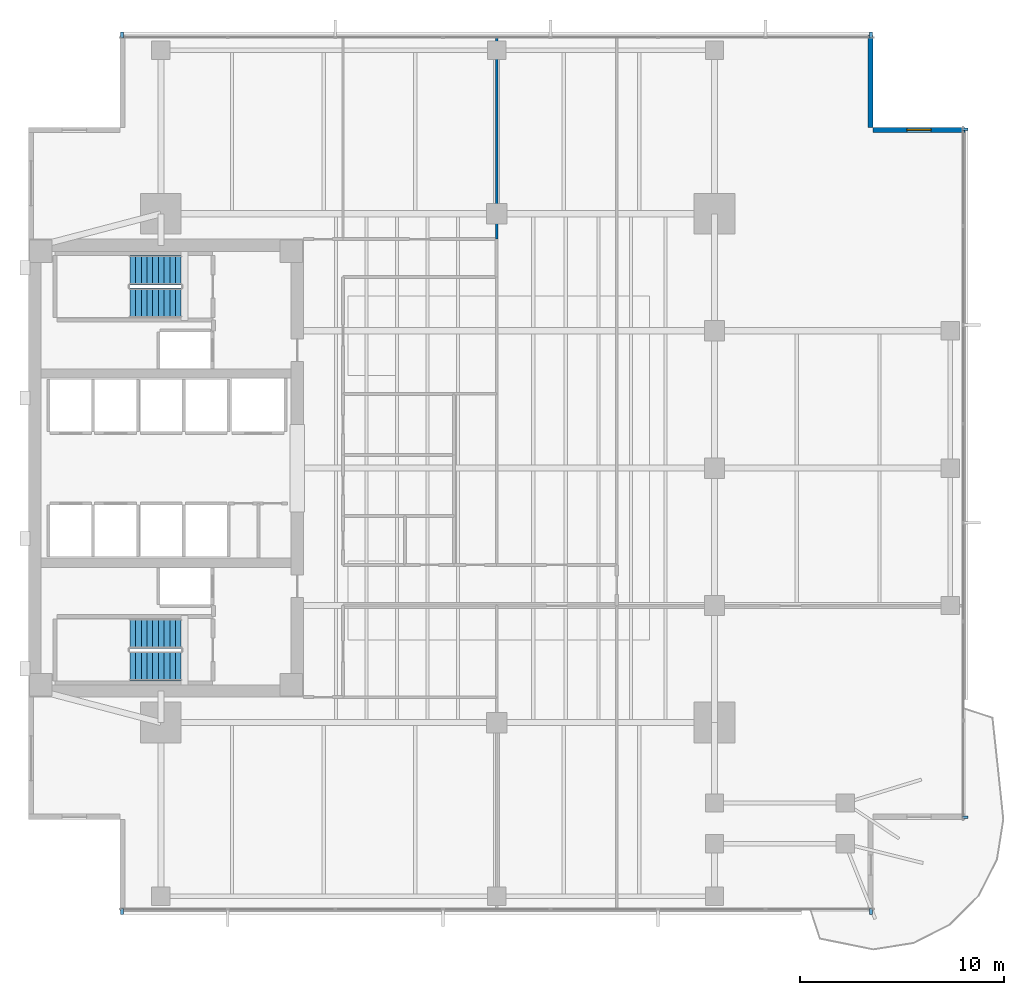
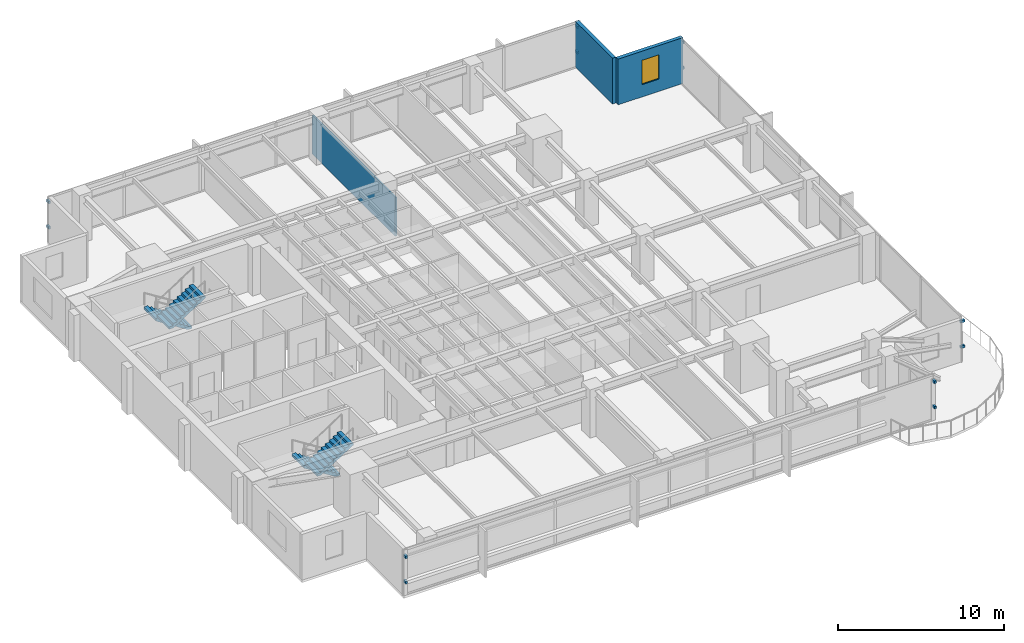
# One storey, part 10 of 14: 12 discrete accessories, 4 stair flights, 3 walls, 1 window, 1 opening, 2 elements without a shape of their own.
"""IFC4 building model written with IfcOpenShell, lengths in metres."""

from ifc_helpers import new_model, si_unit, direction, frame, frame_2d, origin, origin_2d, place, context, subcontext, project, spatial, polyline, rectangle, outline, extrude, material, layer, layer_set, type_object, element, fill, aggregate, save


model = new_model("IFC4")

# Units and contexts
model_context = context("Model", 3, precision=1e-05, world=origin(), true_north=direction((0.0, 1.0)))
body_context = subcontext(model_context, "Body", "Model", "MODEL_VIEW")
ifc_project = project(units=[si_unit("LENGTHUNIT", "METRE"), si_unit("AREAUNIT", "SQUARE_METRE"), si_unit("VOLUMEUNIT", "CUBIC_METRE"), si_unit("PLANEANGLEUNIT", "RADIAN"), si_unit("MASSUNIT", "GRAM", prefix="KILO")], contexts=[model_context])

# Site, building, storey
site_placement = place(None, origin())
site = spatial("IfcSite", under=ifc_project, at=site_placement, CompositionType="ELEMENT")
building_placement = place(site_placement, origin())
building = spatial("IfcBuilding", under=site, at=building_placement, Name="Kinhvarn Gate Tower", CompositionType="ELEMENT")
storey_placement = place(building_placement, frame((0.0, 0.0, 137.75)))
storey = spatial("IfcBuildingStorey", under=building, at=storey_placement, Name="L36", CompositionType="ELEMENT", Elevation=137.75)

# Wall, opening, window
ifc_material_1 = material(Name="Fired architectural terracotta", Category="masonry")
ifc_layer_1 = layer(ifc_material_1, 0.25)
ifc_layer_set_1 = layer_set([ifc_layer_1], Name="Fired architectural terracotta")
wall_type_1 = type_object("IfcWallType", Name="WL-EXT-250", PredefinedType="SOLIDWALL", material=ifc_layer_set_1)
wall_1_placement = place(storey_placement, frame((50.5, 41.875, 0.0), z_axis=(0.0, 0.0, 1.0), x_axis=(-1.0, 0.0, 0.0)))
wall_1 = element("IfcWall", 1, at=wall_1_placement, inside=storey, type_object=wall_type_1, Name="Exterior Solidwall Wall EW-250 (L36 NE-Notch-1)", PredefinedType="SOLIDWALL", context=body_context, shape_type="SweptSolid", body=[
    extrude(rectangle(XDim=4.5, YDim=0.25, at=frame_2d((2.25, 0.0))), origin(), (0.0, 0.0, 1.0), 3.3701171875),
])
opening_placement = place(wall_1_placement, frame((1.64990234375, 0.0, 0.89990234375)))
opening = element("IfcOpeningElement", 2, at=opening_placement, cuts=wall_1, Name="Opening WN-02", PredefinedType="OPENING", context=body_context, shape_type="SweptSolid", body=[
    extrude(rectangle(XDim=1.199951171875, YDim=1.800048828125, at=frame_2d((0.60009765625, 0.89990234375))), frame((0.0, 0.135009765625, 0.0), z_axis=(0.0, -1.0, 0.0), x_axis=(1.0, 0.0, 0.0)), (0.0, 0.0, 1.0), 0.27001953125),
])
ifc_material_2 = material(Name="Clear low-e double glazing", Category="glass")
window_type = type_object("IfcWindowType", Name="WIN-NTC-1200", PartitioningType="SINGLE_PANEL", PredefinedType="WINDOW", material=ifc_material_2)
window_placement = place(opening_placement, origin())
window = element("IfcWindow", 3, at=window_placement, inside=storey, type_object=window_type, Name="Recessed Corner Notch Punched Window 1200x1800 mm (L36)", OverallHeight=1.800048828125, OverallWidth=1.199951171875, PartitioningType="SINGLE_PANEL", PredefinedType="WINDOW", context=body_context, shape_type="SweptSolid", body=[
    extrude(rectangle(XDim=1.199951171875, YDim=1.800048828125, at=frame_2d((0.60009765625, 0.89990234375))), frame((0.0, 0.030029296875, 0.0), z_axis=(0.0, -1.0, 0.0), x_axis=(1.0, 0.0, 0.0)), (0.0, 0.0, 1.0), 0.06005859375),
])
fill(opening, window)

# Walls
wall_2_placement = place(storey_placement, frame((45.875, 42.0, 0.0), z_axis=(0.0, 0.0, 1.0), x_axis=(0.0, 1.0, 0.0)))
element("IfcWall", 4, at=wall_2_placement, inside=storey, type_object=wall_type_1, Name="Exterior Solidwall Wall EW-250 (L36 NE-Notch-2)", PredefinedType="SOLIDWALL", context=body_context, shape_type="SweptSolid", body=[
    extrude(rectangle(XDim=4.5, YDim=0.25, at=frame_2d((2.25, 0.0))), origin(), (0.0, 0.0, 1.0), 3.3701171875),
])
ifc_material_3 = material(Name="Gypsum acoustic partition board")
ifc_layer_2 = layer(ifc_material_3, 0.1201171875)
ifc_layer_set_2 = layer_set([ifc_layer_2], Name="Gypsum acoustic partition board")
wall_type_2 = type_object("IfcWallType", Name="WL-PRT-120", PredefinedType="PARTITIONING", material=ifc_layer_set_2)
wall_3_placement = place(storey_placement, frame((27.5, 36.5, 0.0), z_axis=(0.0, 0.0, 1.0), x_axis=(0.0, 1.0, 0.0)))
element("IfcWall", 5, at=wall_3_placement, inside=storey, type_object=wall_type_2, Name="Interior Partition PW-120 (L36)", PredefinedType="PARTITIONING", context=body_context, shape_type="SweptSolid", body=[
    extrude(rectangle(XDim=9.989990234375, YDim=0.1201171875, at=frame_2d((4.9951171875, 0.0))), origin(), (0.0, 0.0, 1.0), 2.8701171875),
])

# Stair, stair flights
ifc_material_4 = material(Name="Concrete C40/50", Category="concrete")
stair_type = type_object("IfcStairType", Name="STR-DLG-178", PredefinedType="HALF_TURN_STAIR", material=ifc_material_4)
stair_1_placement = place(storey_placement, origin())
stair_1 = element("IfcStair", 6, at=stair_1_placement, inside=storey, type_object=stair_type, Name="L36 Core Smokeproof Exit Stair ST1", PredefinedType="HALF_TURN_STAIR")
stair_flight_type = type_object("IfcStairFlightType", Name="STF-DLG-178", PredefinedType="STRAIGHT", material=ifc_material_4)
stair_flight_1_placement = place(storey_placement, frame((12.0, 17.125, 0.0), z_axis=(0.0, 0.0, 1.0), x_axis=(-1.0, 0.0, 0.0)))
stair_flight_1 = element("IfcStairFlight", 7, at=stair_flight_1_placement, type_object=stair_flight_type, Name="ST1 flight 1", NumberOfRisers=10, NumberOfTreads=9, PredefinedType="STRAIGHT", RiserHeight=0.1775, TreadLength=0.28, context=body_context, shape_type="SweptSolid", body=[
    extrude(outline(polyline([(0.0, 0.0), (0.0, 0.177490234375), (0.280029296875, 0.177490234375), (0.280029296875, 0.35498046875), (0.56005859375, 0.35498046875), (0.56005859375, 0.532470703125), (0.840087890625, 0.532470703125), (0.840087890625, 0.7099609375), (1.1201171875, 0.7099609375), (1.1201171875, 0.887451171875), (1.39990234375, 0.887451171875), (1.39990234375, 1.06494140625), (1.679931640625, 1.06494140625), (1.679931640625, 1.242431640625), (1.9599609375, 1.242431640625), (1.9599609375, 1.419921875), (2.239990234375, 1.419921875), (2.239990234375, 1.597412109375), (2.52001953125, 1.597412109375), (2.52001953125, 1.77490234375), (2.52001953125, 1.419921875), (0.280029296875, 0.0), (0.0, 0.0)])), frame((0.0, 0.72509765625, 0.0), z_axis=(0.0, -1.0, 0.0), x_axis=(1.0, 0.0, 0.0)), (0.0, 0.0, 1.0), 1.449951171875),
])
stair_flight_2_placement = place(storey_placement, frame((9.47998046875, 15.52490234375, 1.77490234375), z_axis=(0.0, 0.0, 1.0), x_axis=(1.0, 0.0, 0.0)))
stair_flight_2 = element("IfcStairFlight", 8, at=stair_flight_2_placement, type_object=stair_flight_type, Name="ST1 flight 2", NumberOfRisers=10, NumberOfTreads=9, PredefinedType="STRAIGHT", RiserHeight=0.1775, TreadLength=0.28, context=body_context, shape_type="SweptSolid", body=[
    extrude(outline(polyline([(0.0, 0.0), (0.0, 0.177490234375), (0.280029296875, 0.177490234375), (0.280029296875, 0.35498046875), (0.56005859375, 0.35498046875), (0.56005859375, 0.532470703125), (0.840087890625, 0.532470703125), (0.840087890625, 0.7099609375), (1.1201171875, 0.7099609375), (1.1201171875, 0.887451171875), (1.39990234375, 0.887451171875), (1.39990234375, 1.06494140625), (1.679931640625, 1.06494140625), (1.679931640625, 1.242431640625), (1.9599609375, 1.242431640625), (1.9599609375, 1.419921875), (2.239990234375, 1.419921875), (2.239990234375, 1.597412109375), (2.52001953125, 1.597412109375), (2.52001953125, 1.77490234375), (2.52001953125, 1.419921875), (0.280029296875, 0.0), (0.0, 0.0)])), frame((0.0, 0.72509765625, 0.0), z_axis=(0.0, -1.0, 0.0), x_axis=(1.0, 0.0, 0.0)), (0.0, 0.0, 1.0), 1.449951171875),
])
aggregate(stair_1, [stair_flight_1, stair_flight_2])

stair_2_placement = place(storey_placement, origin())
stair_2 = element("IfcStair", 9, at=stair_2_placement, inside=storey, type_object=stair_type, Name="L36 Core Smokeproof Exit Stair ST2", PredefinedType="HALF_TURN_STAIR")
stair_flight_3_placement = place(storey_placement, frame((12.0, 34.97509765625, 0.0), z_axis=(0.0, 0.0, 1.0), x_axis=(-1.0, 0.0, 0.0)))
stair_flight_3 = element("IfcStairFlight", 10, at=stair_flight_3_placement, type_object=stair_flight_type, Name="ST2 flight 1", NumberOfRisers=10, NumberOfTreads=9, PredefinedType="STRAIGHT", RiserHeight=0.1775, TreadLength=0.28, context=body_context, shape_type="SweptSolid", body=[
    extrude(outline(polyline([(0.0, 0.0), (0.0, 0.177490234375), (0.280029296875, 0.177490234375), (0.280029296875, 0.35498046875), (0.56005859375, 0.35498046875), (0.56005859375, 0.532470703125), (0.840087890625, 0.532470703125), (0.840087890625, 0.7099609375), (1.1201171875, 0.7099609375), (1.1201171875, 0.887451171875), (1.39990234375, 0.887451171875), (1.39990234375, 1.06494140625), (1.679931640625, 1.06494140625), (1.679931640625, 1.242431640625), (1.9599609375, 1.242431640625), (1.9599609375, 1.419921875), (2.239990234375, 1.419921875), (2.239990234375, 1.597412109375), (2.52001953125, 1.597412109375), (2.52001953125, 1.77490234375), (2.52001953125, 1.419921875), (0.280029296875, 0.0), (0.0, 0.0)])), frame((0.0, 0.72509765625, 0.0), z_axis=(0.0, -1.0, 0.0), x_axis=(1.0, 0.0, 0.0)), (0.0, 0.0, 1.0), 1.449951171875),
])
stair_flight_4_placement = place(storey_placement, frame((9.47998046875, 33.375, 1.77490234375), z_axis=(0.0, 0.0, 1.0), x_axis=(1.0, 0.0, 0.0)))
stair_flight_4 = element("IfcStairFlight", 11, at=stair_flight_4_placement, type_object=stair_flight_type, Name="ST2 flight 2", NumberOfRisers=10, NumberOfTreads=9, PredefinedType="STRAIGHT", RiserHeight=0.1775, TreadLength=0.28, context=body_context, shape_type="SweptSolid", body=[
    extrude(outline(polyline([(0.0, 0.0), (0.0, 0.177490234375), (0.280029296875, 0.177490234375), (0.280029296875, 0.35498046875), (0.56005859375, 0.35498046875), (0.56005859375, 0.532470703125), (0.840087890625, 0.532470703125), (0.840087890625, 0.7099609375), (1.1201171875, 0.7099609375), (1.1201171875, 0.887451171875), (1.39990234375, 0.887451171875), (1.39990234375, 1.06494140625), (1.679931640625, 1.06494140625), (1.679931640625, 1.242431640625), (1.9599609375, 1.242431640625), (1.9599609375, 1.419921875), (2.239990234375, 1.419921875), (2.239990234375, 1.597412109375), (2.52001953125, 1.597412109375), (2.52001953125, 1.77490234375), (2.52001953125, 1.419921875), (0.280029296875, 0.0), (0.0, 0.0)])), frame((0.0, 0.72509765625, 0.0), z_axis=(0.0, -1.0, 0.0), x_axis=(1.0, 0.0, 0.0)), (0.0, 0.0, 1.0), 1.449951171875),
])
aggregate(stair_2, [stair_flight_3, stair_flight_4])

# Discrete accessories
ifc_material_5 = material(Name="Anodised aluminium AW-6063", Category="aluminium")
discrete_accessory_type = type_object("IfcDiscreteAccessoryType", Name="ACC-BRK-01", PredefinedType="BRACKET", material=ifc_material_5)
for number, where, z_axis, x_axis, name in (
    (12, (9.10009765625, 3.469970703125, 0.9599609375), (0.0, 0.0, 1.0), (1.0, 0.0, 0.0), "Baguette Support Bracket BK-01 (L36)"),
    (13, (9.10009765625, 3.469970703125, 2.830078125), (0.0, 0.0, 1.0), (1.0, 0.0, 0.0), "Baguette Support Bracket BK-01 (L36)"),
    (14, (45.89990234375, 3.469970703125, 0.9599609375), (0.0, 0.0, 1.0), (1.0, 0.0, 0.0), "Baguette Support Bracket BK-01 (L36)"),
    (15, (45.89990234375, 3.469970703125, 2.830078125), (0.0, 0.0, 1.0), (1.0, 0.0, 0.0), "Baguette Support Bracket BK-01 (L36)"),
    (16, (45.89990234375, 46.530029296875, 0.9599609375), (0.0, 0.0, 1.0), (-1.0, 0.0, 0.0), "Baguette Support Bracket BK-01 (L36)"),
    (17, (45.89990234375, 46.530029296875, 2.830078125), (0.0, 0.0, 1.0), (-1.0, 0.0, 0.0), "Baguette Support Bracket BK-01 (L36)"),
    (18, (9.10009765625, 46.530029296875, 0.9599609375), (0.0, 0.0, 1.0), (-1.0, 0.0, 0.0), "Baguette Support Bracket BK-01 (L36)"),
    (19, (9.10009765625, 46.530029296875, 2.830078125), (0.0, 0.0, 1.0), (-1.0, 0.0, 0.0), "Baguette Support Bracket BK-01 (L36)"),
    (20, (50.530029296875, 8.10009765625, 0.9599609375), (0.0, 0.0, 1.0), (0.0, 1.0, 0.0), "Baguette Support Bracket BK-01 (L36)"),
    (21, (50.530029296875, 8.10009765625, 2.830078125), (0.0, 0.0, 1.0), (0.0, 1.0, 0.0), "Baguette Support Bracket BK-01 (L36)"),
    (22, (50.530029296875, 41.89990234375, 0.9599609375), (0.0, 0.0, 1.0), (0.0, 1.0, 0.0), "Baguette Support Bracket BK-01 (L36)"),
    (23, (50.530029296875, 41.89990234375, 2.830078125), (0.0, 0.0, 1.0), (0.0, 1.0, 0.0), "Baguette Support Bracket BK-01 (L36)"),
):
    element("IfcDiscreteAccessory", number, at=place(storey_placement, frame(where, z_axis=z_axis, x_axis=x_axis)), inside=storey, type_object=discrete_accessory_type, Name=name, PredefinedType="BRACKET", context=body_context, shape_type="SweptSolid", body=[
        extrude(rectangle(XDim=0.139892578125, YDim=0.280029296875, at=origin_2d()), origin(), (0.0, 0.0, 1.0), 0.179931640625),
    ])

save(model, "model.ifc")
